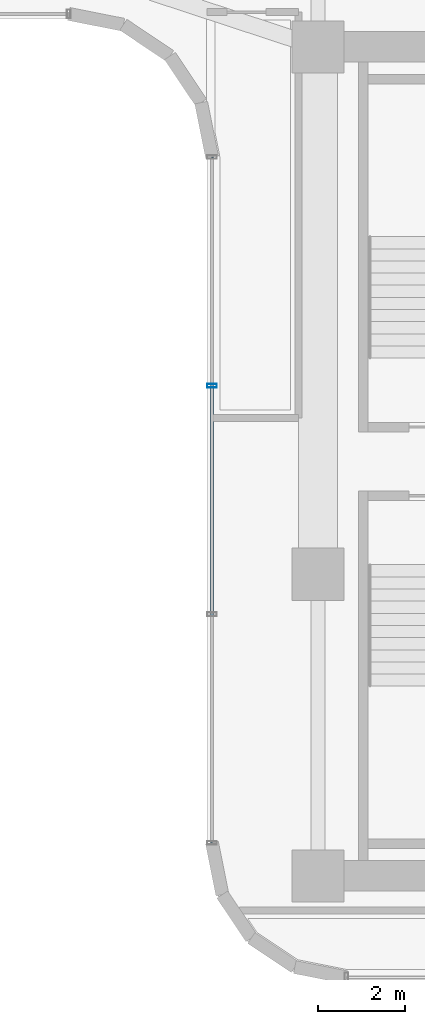
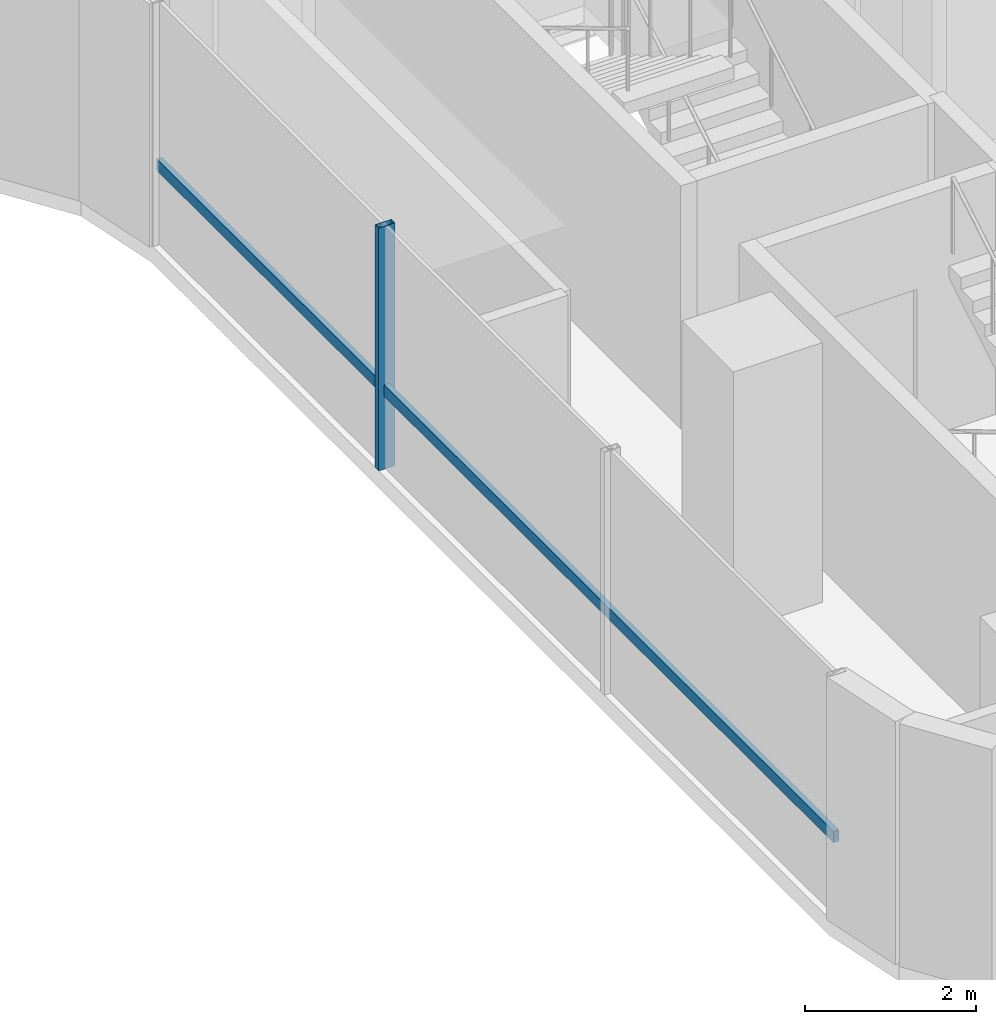
# One storey, part 13 of 35: 2 members, 1 element without a shape of its own.
"""IFC4 building model written with IfcOpenShell, lengths in metres."""

from ifc_helpers import new_model, si_unit, direction, frame, origin, origin_2d, place, context, subcontext, project, spatial, hollow_rectangle, extrude, source, transform, mapped, material, material_profile, profile_set, type_object, element, aggregate, save


model = new_model("IFC4")

# Units and contexts
model_context = context("Model", 3, precision=1e-05, world=origin(), true_north=direction((0.0, 1.0)))
body_context = subcontext(model_context, "Body", "Model", "MODEL_VIEW")
ifc_project = project(units=[si_unit("LENGTHUNIT", "METRE"), si_unit("AREAUNIT", "SQUARE_METRE"), si_unit("VOLUMEUNIT", "CUBIC_METRE"), si_unit("PLANEANGLEUNIT", "RADIAN"), si_unit("MASSUNIT", "GRAM", prefix="KILO")], contexts=[model_context])

# Site, building, storey
site_placement = place(None, origin())
site = spatial("IfcSite", under=ifc_project, at=site_placement, CompositionType="ELEMENT")
building_placement = place(site_placement, origin())
building = spatial("IfcBuilding", under=site, at=building_placement, Name="Valdorenza Pilgrim Sanctuary Tower", CompositionType="ELEMENT")
storey_placement = place(building_placement, frame((0.0, 0.0, 113.10009765625)))
storey = spatial("IfcBuildingStorey", under=building, at=storey_placement, Name="L28", CompositionType="ELEMENT", Elevation=113.10009765625)

# Curtain wall, members
ifc_material_1 = material(Name="Curtain-wall IGU glazing", Category="glass")
curtain_wall_type = type_object("IfcCurtainWallType", Name="CW-SYS-03", PredefinedType="NOTDEFINED", material=ifc_material_1)
curtain_wall_placement = place(storey_placement, origin())
curtain_wall = element("IfcCurtainWall", 1, at=curtain_wall_placement, inside=storey, type_object=curtain_wall_type, Name="L28 Curtain Wall CW-L28-1-31", PredefinedType="NOTDEFINED")
ifc_material_2 = material(Name="Anodised aluminium AW-6060", Category="aluminium")
ifc_material_profile_1 = material_profile(ifc_material_2, hollow_rectangle(XDim=0.0849609375, YDim=0.219970703125, WallThickness=0.0048828125, at=origin_2d()), Name="ALU-M 220x85x5")
ifc_profile_set_1 = profile_set([ifc_material_profile_1], Name="Anodised aluminium AW-6060")
member_type_1 = type_object("IfcMemberType", Name="CW-MUL-03", PredefinedType="MULLION", material=ifc_profile_set_1)
shared_shape_1 = source(origin(), body_context, "Body", "SweptSolid", [
    extrude(hollow_rectangle(XDim=0.0849609375, YDim=0.219970703125, WallThickness=0.0048828125, at=origin_2d()), origin(), (0.0, 0.0, 1.0), 3.4599609375),
])
member_1_placement = place(storey_placement, frame((13.409912109375, 1.744140625, 0.0), z_axis=(0.0, 0.0, 1.0), x_axis=(0.0, 1.0, 0.0)))
member_1 = element("IfcMember", 2, at=member_1_placement, type_object=member_type_1, Name="CW-L28-1-31 Mullion 3", PredefinedType="MULLION", context=body_context, shape_type="MappedRepresentation", body=[
    mapped(shared_shape_1, transform((0.0, 0.0, 0.0), x_axis=(1.0, 0.0, 0.0), y_axis=(0.0, 1.0, 0.0), z_axis=(0.0, 0.0, 1.0), scale=1.0)),
])
ifc_material_profile_2 = material_profile(ifc_material_2, hollow_rectangle(XDim=0.074951171875, YDim=0.159912109375, WallThickness=0.00390625, at=origin_2d()), Name="ALU-T 160x75x4")
ifc_profile_set_2 = profile_set([ifc_material_profile_2], Name="Anodised aluminium AW-6060")
member_type_2 = type_object("IfcMemberType", Name="CW-TRN-03", PredefinedType="USERDEFINED", material=ifc_profile_set_2)
shared_shape_2 = source(origin(), body_context, "Body", "SweptSolid", [
    extrude(hollow_rectangle(XDim=0.074951171875, YDim=0.159912109375, WallThickness=0.00390625, at=origin_2d()), origin(), (0.0, 0.0, 1.0), 15.800048828125),
])
member_2_placement = place(storey_placement, frame((13.409912109375, -8.789306640625, 1.119873046875), z_axis=(0.0, 1.0, 0.0), x_axis=(-1.0, 0.0, 0.0)))
member_2 = element("IfcMember", 3, at=member_2_placement, type_object=member_type_2, Name="CW-L28-1-31 Transom 1", ObjectType="TRANSOM", PredefinedType="USERDEFINED", context=body_context, shape_type="MappedRepresentation", body=[
    mapped(shared_shape_2, transform((0.0, 0.0, 0.0), x_axis=(1.0, 0.0, 0.0), y_axis=(0.0, 1.0, 0.0), z_axis=(0.0, 0.0, 1.0), scale=1.0)),
])
aggregate(curtain_wall, [member_1, member_2])

save(model, "model.ifc")
